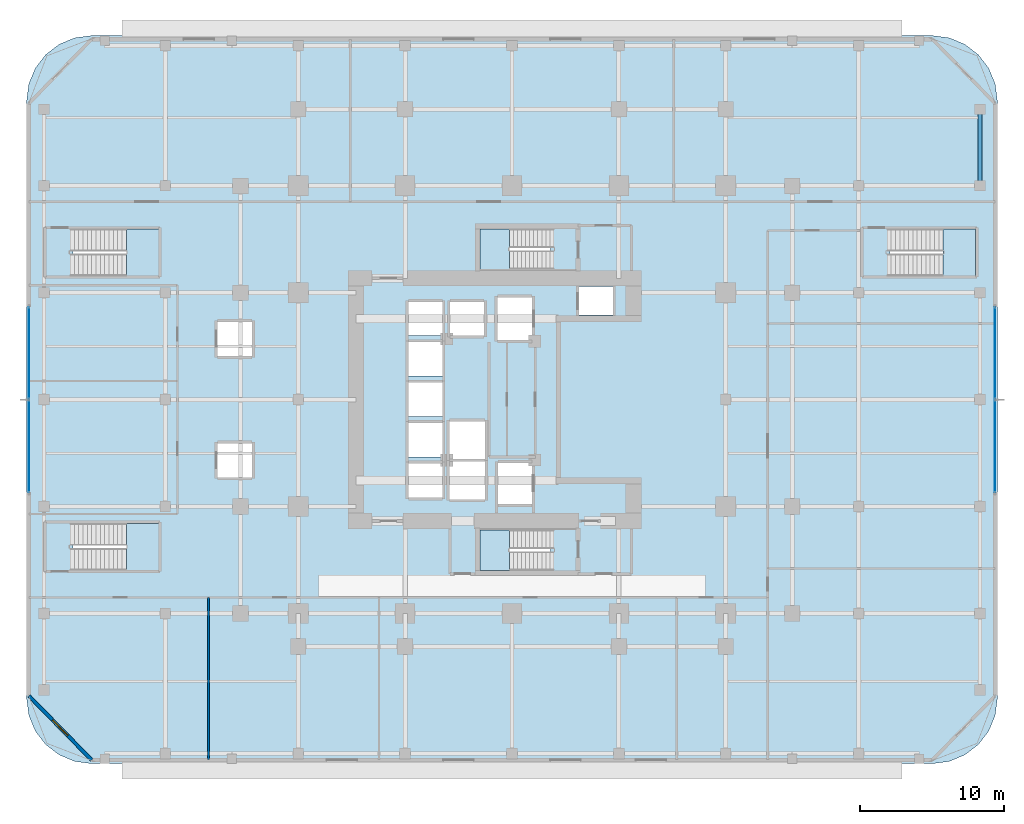
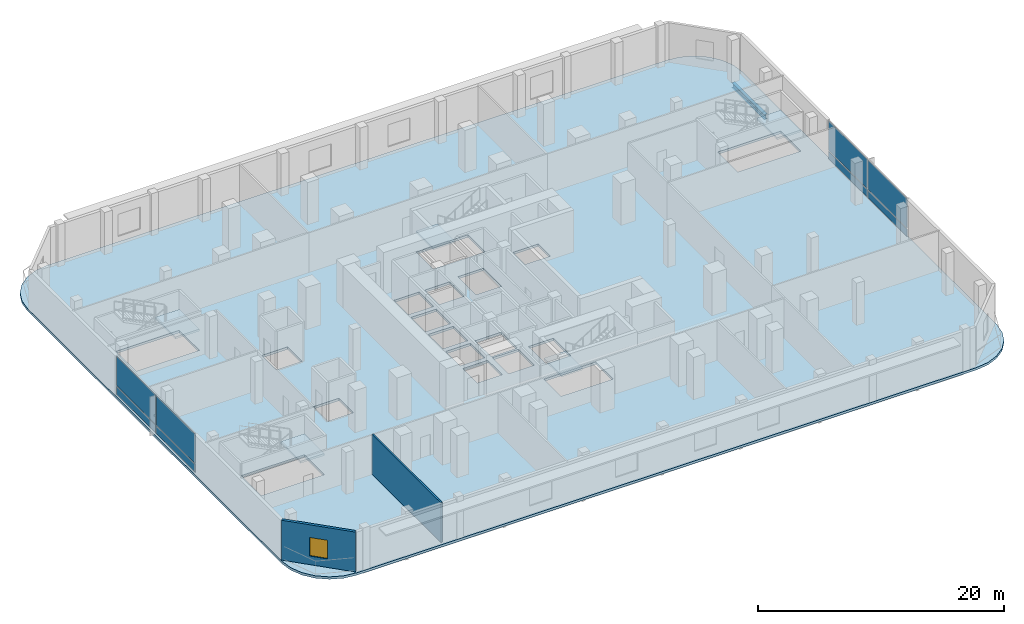
# One storey, part 7 of 19: 8 plates, 6 slabs, 2 walls, 1 beam, 1 window, 1 opening, 7 elements without a shape of their own.
"""IFC4 building model written with IfcOpenShell, lengths in metres."""

from ifc_helpers import new_model, si_unit, direction, frame, frame_2d, origin, origin_2d, place, context, subcontext, project, spatial, polyline, rectangle, i_section, outline, extrude, material, layer, layer_set, material_profile, profile_set, type_object, element, fill, aggregate, save


model = new_model("IFC4")

# Units and contexts
model_context = context("Model", 3, precision=1e-05, world=origin(), true_north=direction((0.0, 1.0)))
body_context = subcontext(model_context, "Body", "Model", "MODEL_VIEW")
ifc_project = project(units=[si_unit("LENGTHUNIT", "METRE"), si_unit("AREAUNIT", "SQUARE_METRE"), si_unit("VOLUMEUNIT", "CUBIC_METRE"), si_unit("PLANEANGLEUNIT", "RADIAN"), si_unit("MASSUNIT", "GRAM", prefix="KILO")], contexts=[model_context])

# Site, building, storey
site_placement = place(None, origin())
site = spatial("IfcSite", under=ifc_project, at=site_placement, CompositionType="ELEMENT")
building_placement = place(site_placement, origin())
building = spatial("IfcBuilding", under=site, at=building_placement, Name="Khorvyn Point Tower", CompositionType="ELEMENT")
storey_placement = place(building_placement, frame((0.0, 0.0, 17.39990234375)))
storey = spatial("IfcBuildingStorey", under=building, at=storey_placement, Name="L05", CompositionType="ELEMENT", Elevation=17.39990234375)

# Beam
ifc_material_1 = material(Name="Steel S355", Category="steel")
ifc_material_profile = material_profile(ifc_material_1, i_section(OverallWidth=0.300048828125, OverallDepth=0.488037109375, WebThickness=0.010986328125, FlangeThickness=0.01806640625, at=origin_2d()))
ifc_profile_set = profile_set([ifc_material_profile], Name="Steel S355 H488x300x11x18")
beam_type = type_object("IfcBeamType", Name="Steel S355 Spandrel H488x300x11x18", PredefinedType="SPANDREL", material=ifc_profile_set)
beam_placement = place(storey_placement, frame((32.39990234375, 14.800048828125, -0.48388671875), z_axis=(0.0, 1.0, 0.0), x_axis=(-1.0, 0.0, 0.0)))
element("IfcBeam", 1, at=beam_placement, inside=storey, type_object=beam_type, Name="Beam", PredefinedType="SPANDREL", context=body_context, shape_type="SweptSolid", body=[
    extrude(i_section(OverallWidth=0.300048828125, OverallDepth=0.488037109375, WebThickness=0.010986328125, FlangeThickness=0.01806640625, at=origin_2d()), origin(), (0.0, 0.0, 1.0), 5.300048828125),
])

# Slab
ifc_material_2 = material(Name="Concrete C35/45", Category="concrete")
ifc_layer_1 = layer(ifc_material_2, 0.239990234375)
ifc_layer_set_1 = layer_set([ifc_layer_1], Name="Concrete C35/45 Structural Floor Slab 240")
slab_type_1 = type_object("IfcSlabType", Name="Concrete C35/45 Structural Floor Slab 240", PredefinedType="FLOOR", material=ifc_layer_set_1)
slab_1_placement = place(storey_placement, frame((0.0, 0.0, -0.239990234375)))
element("IfcSlab", 2, at=slab_1_placement, inside=storey, type_object=slab_type_1, Name="L05 Main Structural Floor Slab", PredefinedType="FLOOR", context=body_context, shape_type="SweptSolid", body=[
    extrude(outline(polyline([(-29.10009765625, -25.199951171875), (-30.2646484375, -25.046630859375), (-31.35009765625, -24.59716796875), (-32.281982421875, -23.882080078125), (-32.9970703125, -22.949951171875), (-33.44677734375, -21.86474609375), (-33.60009765625, -20.699951171875), (-33.60009765625, 20.699951171875), (-33.44677734375, 21.86474609375), (-32.9970703125, 22.949951171875), (-32.281982421875, 23.882080078125), (-31.35009765625, 24.59716796875), (-30.2646484375, 25.046630859375), (-29.10009765625, 25.199951171875), (29.10009765625, 25.199951171875), (30.2646484375, 25.046630859375), (31.35009765625, 24.59716796875), (32.281982421875, 23.882080078125), (32.9970703125, 22.949951171875), (33.44677734375, 21.86474609375), (33.60009765625, 20.699951171875), (33.60009765625, -20.699951171875), (33.44677734375, -21.86474609375), (32.9970703125, -22.949951171875), (32.281982421875, -23.882080078125), (31.35009765625, -24.59716796875), (30.2646484375, -25.046630859375), (29.10009765625, -25.199951171875), (-29.10009765625, -25.199951171875)]), holes=[polyline([(-30.3798828125, -11.820068359375), (-24.449951171875, -11.820068359375), (-24.449951171875, -8.56005859375), (-30.3798828125, -8.56005859375), (-30.3798828125, -11.820068359375)]), polyline([(-7.175048828125, -6.77490234375), (-4.824951171875, -6.77490234375), (-4.824951171875, -4.425048828125), (-7.175048828125, -4.425048828125), (-7.175048828125, -6.77490234375)]), polyline([(-20.39990234375, -5.375), (-18.0, -5.375), (-18.0, -3.02490234375), (-20.39990234375, -3.02490234375), (-20.39990234375, -5.375)]), polyline([(-7.175048828125, -3.97509765625), (-4.824951171875, -3.97509765625), (-4.824951171875, -1.625), (-7.175048828125, -1.625), (-7.175048828125, -3.97509765625)]), polyline([(-7.175048828125, -1.175048828125), (-4.824951171875, -1.175048828125), (-4.824951171875, 1.175048828125), (-7.175048828125, 1.175048828125), (-7.175048828125, -1.175048828125)]), polyline([(-7.175048828125, 1.625), (-4.824951171875, 1.625), (-4.824951171875, 3.97509765625), (-7.175048828125, 3.97509765625), (-7.175048828125, 1.625)]), polyline([(-20.39990234375, 3.02490234375), (-18.0, 3.02490234375), (-18.0, 5.375), (-20.39990234375, 5.375), (-20.39990234375, 3.02490234375)]), polyline([(-7.175048828125, 6.77490234375), (-7.175048828125, 4.425048828125), (-4.824951171875, 4.425048828125), (-4.824951171875, 6.77490234375), (-7.175048828125, 6.77490234375)]), polyline([(-30.3798828125, 11.820068359375), (-30.3798828125, 8.56005859375), (-24.449951171875, 8.56005859375), (-24.449951171875, 11.820068359375), (-30.3798828125, 11.820068359375)]), polyline([(-2.199951171875, -11.820068359375), (2.679931640625, -11.820068359375), (2.679931640625, -9.02001953125), (-2.199951171875, -9.02001953125), (-2.199951171875, -11.820068359375)]), polyline([(-0.97509765625, -7.22509765625), (1.375, -7.22509765625), (1.375, -4.375), (-0.97509765625, -4.375), (-0.97509765625, -7.22509765625)]), polyline([(-4.324951171875, -6.89990234375), (-1.875, -6.89990234375), (-1.875, -4.300048828125), (-4.324951171875, -4.300048828125), (-4.324951171875, -6.89990234375)]), polyline([(-4.324951171875, -4.10009765625), (-1.875, -4.10009765625), (-1.875, -1.5), (-4.324951171875, -1.5), (-4.324951171875, -4.10009765625)]), polyline([(-4.27490234375, 4.425048828125), (-1.925048828125, 4.425048828125), (-1.925048828125, 6.77490234375), (-4.27490234375, 6.77490234375), (-4.27490234375, 4.425048828125)]), polyline([(-1.0, 4.125), (1.39990234375, 4.125), (1.39990234375, 7.074951171875), (-1.0, 7.074951171875), (-1.0, 4.125)]), polyline([(4.625, 5.85009765625), (6.97509765625, 5.85009765625), (6.97509765625, 7.830078125), (4.625, 7.830078125), (4.625, 5.85009765625)]), polyline([(26.169921875, 11.820068359375), (26.169921875, 8.56005859375), (32.10009765625, 8.56005859375), (32.10009765625, 11.820068359375), (26.169921875, 11.820068359375)]), polyline([(-2.199951171875, 11.820068359375), (-2.199951171875, 9.02001953125), (2.679931640625, 9.02001953125), (2.679931640625, 11.820068359375), (-2.199951171875, 11.820068359375)])]), origin(), (0.0, 0.0, 1.0), 0.239990234375),
])

# Stair, slab
ifc_material_3 = material(Name="Concrete C40/50", Category="concrete")
stair_type_1 = type_object("IfcStairType", Name="Tower Concrete C40/50 Dogleg Exit Stair", PredefinedType="HALF_TURN_STAIR", material=ifc_material_3)
stair_1_placement = place(storey_placement, origin())
stair_1 = element("IfcStair", 3, at=stair_1_placement, inside=storey, type_object=stair_type_1, Name="L05 Tower Smokeproof Exit Stair South", PredefinedType="HALF_TURN_STAIR")
ifc_layer_2 = layer(ifc_material_3, 0.199951171875)
ifc_layer_set_2 = layer_set([ifc_layer_2], Name="Concrete C40/50 Stair Landing Slab 200")
slab_type_2 = type_object("IfcSlabType", Name="Concrete C40/50 Stair Landing Slab 200", PredefinedType="LANDING", material=ifc_layer_set_2)
slab_2_placement = place(storey_placement, frame((0.0, 0.0, 1.900146484375)))
slab_2 = element("IfcSlab", 4, at=slab_2_placement, type_object=slab_type_2, Name="ST-01 landing 1", PredefinedType="LANDING", context=body_context, shape_type="SweptSolid", body=[
    extrude(outline(polyline([(-0.179931640625, -9.02001953125), (-2.199951171875, -9.02001953125), (-2.199951171875, -11.820068359375), (-0.179931640625, -11.820068359375), (-0.179931640625, -9.02001953125)])), origin(), (0.0, 0.0, 1.0), 0.199951171875),
])
aggregate(stair_1, [slab_2])

stair_2_placement = place(storey_placement, origin())
stair_2 = element("IfcStair", 5, at=stair_2_placement, inside=storey, type_object=stair_type_1, Name="L05 Tower Smokeproof Exit Stair North", PredefinedType="HALF_TURN_STAIR")
slab_3_placement = place(storey_placement, frame((0.0, 0.0, 1.900146484375)))
slab_3 = element("IfcSlab", 6, at=slab_3_placement, type_object=slab_type_2, Name="ST-02 landing 1", PredefinedType="LANDING", context=body_context, shape_type="SweptSolid", body=[
    extrude(outline(polyline([(-0.179931640625, 11.820068359375), (-2.199951171875, 11.820068359375), (-2.199951171875, 9.02001953125), (-0.179931640625, 9.02001953125), (-0.179931640625, 11.820068359375)])), origin(), (0.0, 0.0, 1.0), 0.199951171875),
])
aggregate(stair_2, [slab_3])

stair_type_2 = type_object("IfcStairType", Name="School Podium Concrete C40/50 Wide Exit Stair", PredefinedType="HALF_TURN_STAIR", material=ifc_material_3)
stair_3_placement = place(storey_placement, origin())
stair_3 = element("IfcStair", 7, at=stair_3_placement, inside=storey, type_object=stair_type_2, Name="L05 School Podium Smokeproof Stair Southwest", PredefinedType="HALF_TURN_STAIR")
slab_4_placement = place(storey_placement, frame((0.0, 0.0, 1.900146484375)))
slab_4 = element("IfcSlab", 8, at=slab_4_placement, type_object=slab_type_2, Name="ST-S1 landing 1", PredefinedType="LANDING", context=body_context, shape_type="SweptSolid", body=[
    extrude(outline(polyline([(-26.699951171875, -11.820068359375), (-24.449951171875, -11.820068359375), (-24.449951171875, -8.56005859375), (-26.699951171875, -8.56005859375), (-26.699951171875, -11.820068359375)])), origin(), (0.0, 0.0, 1.0), 0.199951171875),
])
aggregate(stair_3, [slab_4])

stair_4_placement = place(storey_placement, origin())
stair_4 = element("IfcStair", 9, at=stair_4_placement, inside=storey, type_object=stair_type_2, Name="L05 School Podium Smokeproof Stair Northwest", PredefinedType="HALF_TURN_STAIR")
slab_5_placement = place(storey_placement, frame((0.0, 0.0, 1.900146484375)))
slab_5 = element("IfcSlab", 10, at=slab_5_placement, type_object=slab_type_2, Name="ST-S2 landing 1", PredefinedType="LANDING", context=body_context, shape_type="SweptSolid", body=[
    extrude(outline(polyline([(-26.699951171875, 8.56005859375), (-24.449951171875, 8.56005859375), (-24.449951171875, 11.820068359375), (-26.699951171875, 11.820068359375), (-26.699951171875, 8.56005859375)])), origin(), (0.0, 0.0, 1.0), 0.199951171875),
])
aggregate(stair_4, [slab_5])

stair_5_placement = place(storey_placement, origin())
stair_5 = element("IfcStair", 11, at=stair_5_placement, inside=storey, type_object=stair_type_2, Name="L05 School Podium Smokeproof Stair Northeast", PredefinedType="HALF_TURN_STAIR")
slab_6_placement = place(storey_placement, frame((0.0, 0.0, 1.900146484375)))
slab_6 = element("IfcSlab", 12, at=slab_6_placement, type_object=slab_type_2, Name="ST-S3 landing 1", PredefinedType="LANDING", context=body_context, shape_type="SweptSolid", body=[
    extrude(outline(polyline([(29.85009765625, 8.56005859375), (32.10009765625, 8.56005859375), (32.10009765625, 11.820068359375), (29.85009765625, 11.820068359375), (29.85009765625, 8.56005859375)])), origin(), (0.0, 0.0, 1.0), 0.199951171875),
])
aggregate(stair_5, [slab_6])

# Curtain wall, plates
ifc_material_4 = material(Name="Anodised aluminium 6063-T6 and laminated Low-E glass", Category="aluminium")
ifc_layer_3 = layer(ifc_material_4, 0.18994140625)
ifc_layer_set_3 = layer_set([ifc_layer_3], Name="Stick-Built Low-E Podium Curtain Wall CW-SYS-01")
curtain_wall_type = type_object("IfcCurtainWallType", Name="Stick-Built Low-E Podium Curtain Wall CW-SYS-01", PredefinedType="NOTDEFINED", material=ifc_layer_set_3)
curtain_wall_1_placement = place(storey_placement, origin())
curtain_wall_1 = element("IfcCurtainWall", 13, at=curtain_wall_1_placement, inside=storey, type_object=curtain_wall_type, Name="Curtain Wall", PredefinedType="NOTDEFINED")
ifc_material_5 = material(Name="Pale anodised aluminium 5005", Category="aluminium")
ifc_layer_4 = layer(ifc_material_5, 0.0400390625)
ifc_layer_set_4 = layer_set([ifc_layer_4], Name="Pale Champagne Aluminium Insulated Spandrel Panel CW-SP40")
plate_type_1 = type_object("IfcPlateType", Name="Pale Champagne Aluminium Insulated Spandrel Panel CW-SP40", PredefinedType="SHEET", material=ifc_layer_set_4)
plate_1_placement = place(storey_placement, frame((-33.449951171875, -3.22509765625, 0.10009765625), z_axis=(0.0, 0.0, 1.0), x_axis=(0.0, 1.0, 0.0)))
plate_1 = element("IfcPlate", 14, at=plate_1_placement, type_object=plate_type_1, Name="Panel", PredefinedType="SHEET", context=body_context, shape_type="SweptSolid", body=[
    extrude(rectangle(XDim=6.35009765625, YDim=0.0400390625, at=origin_2d()), origin(), (0.0, 0.0, 1.0), 0.75),
])
plate_2_placement = place(storey_placement, frame((-33.449951171875, 3.22509765625, 0.10009765625), z_axis=(0.0, 0.0, 1.0), x_axis=(0.0, 1.0, 0.0)))
plate_2 = element("IfcPlate", 15, at=plate_2_placement, type_object=plate_type_1, Name="Panel", PredefinedType="SHEET", context=body_context, shape_type="SweptSolid", body=[
    extrude(rectangle(XDim=6.35009765625, YDim=0.0400390625, at=origin_2d()), origin(), (0.0, 0.0, 1.0), 0.75),
])

curtain_wall_2_placement = place(storey_placement, origin())
curtain_wall_2 = element("IfcCurtainWall", 16, at=curtain_wall_2_placement, inside=storey, type_object=curtain_wall_type, Name="Curtain Wall", PredefinedType="NOTDEFINED")
plate_3_placement = place(storey_placement, frame((33.449951171875, -3.22509765625, 0.10009765625), z_axis=(0.0, 0.0, 1.0), x_axis=(0.0, 1.0, 0.0)))
plate_3 = element("IfcPlate", 17, at=plate_3_placement, type_object=plate_type_1, Name="Panel", PredefinedType="SHEET", context=body_context, shape_type="SweptSolid", body=[
    extrude(rectangle(XDim=6.35009765625, YDim=0.0400390625, at=origin_2d()), origin(), (0.0, 0.0, 1.0), 0.75),
])
plate_4_placement = place(storey_placement, frame((33.449951171875, 3.22509765625, 0.10009765625), z_axis=(0.0, 0.0, 1.0), x_axis=(0.0, 1.0, 0.0)))
plate_4 = element("IfcPlate", 18, at=plate_4_placement, type_object=plate_type_1, Name="Panel", PredefinedType="SHEET", context=body_context, shape_type="SweptSolid", body=[
    extrude(rectangle(XDim=6.35009765625, YDim=0.0400390625, at=origin_2d()), origin(), (0.0, 0.0, 1.0), 0.75),
])

# Plate
ifc_material_6 = material(Name="Laminated Low-E insulated glass", Category="glass")
ifc_layer_5 = layer(ifc_material_6, 0.028076171875)
ifc_layer_set_5 = layer_set([ifc_layer_5], Name="Tempered Low-E Vision Glazing Panel CW-GL28")
plate_type_2 = type_object("IfcPlateType", Name="Tempered Low-E Vision Glazing Panel CW-GL28", PredefinedType="CURTAIN_PANEL", material=ifc_layer_set_5)
plate_5_placement = place(storey_placement, frame((-33.449951171875, -3.22509765625, 0.9501953125), z_axis=(0.0, 0.0, 1.0), x_axis=(0.0, 1.0, 0.0)))
plate_5 = element("IfcPlate", 19, at=plate_5_placement, type_object=plate_type_2, Name="Panel", PredefinedType="CURTAIN_PANEL", context=body_context, shape_type="SweptSolid", body=[
    extrude(rectangle(XDim=6.35009765625, YDim=0.028076171875, at=origin_2d()), origin(), (0.0, 0.0, 1.0), 2.909912109375),
])

plate_6_placement = place(storey_placement, frame((-33.449951171875, 3.22509765625, 0.9501953125), z_axis=(0.0, 0.0, 1.0), x_axis=(0.0, 1.0, 0.0)))
plate_6 = element("IfcPlate", 20, at=plate_6_placement, type_object=plate_type_2, Name="Panel", PredefinedType="CURTAIN_PANEL", context=body_context, shape_type="SweptSolid", body=[
    extrude(rectangle(XDim=6.35009765625, YDim=0.028076171875, at=origin_2d()), origin(), (0.0, 0.0, 1.0), 2.909912109375),
])

aggregate(curtain_wall_1, [plate_1, plate_5, plate_2, plate_6])

plate_7_placement = place(storey_placement, frame((33.449951171875, -3.22509765625, 0.9501953125), z_axis=(0.0, 0.0, 1.0), x_axis=(0.0, 1.0, 0.0)))
plate_7 = element("IfcPlate", 21, at=plate_7_placement, type_object=plate_type_2, Name="Panel", PredefinedType="CURTAIN_PANEL", context=body_context, shape_type="SweptSolid", body=[
    extrude(rectangle(XDim=6.35009765625, YDim=0.028076171875, at=origin_2d()), origin(), (0.0, 0.0, 1.0), 2.909912109375),
])

plate_8_placement = place(storey_placement, frame((33.449951171875, 3.22509765625, 0.9501953125), z_axis=(0.0, 0.0, 1.0), x_axis=(0.0, 1.0, 0.0)))
plate_8 = element("IfcPlate", 22, at=plate_8_placement, type_object=plate_type_2, Name="Panel", PredefinedType="CURTAIN_PANEL", context=body_context, shape_type="SweptSolid", body=[
    extrude(rectangle(XDim=6.35009765625, YDim=0.028076171875, at=origin_2d()), origin(), (0.0, 0.0, 1.0), 2.909912109375),
])

aggregate(curtain_wall_2, [plate_3, plate_7, plate_4, plate_8])

# Wall, opening, window
ifc_material_7 = material(Name="Pale anodised aluminium rainscreen on steel stud", Category="steel")
ifc_layer_6 = layer(ifc_material_7, 0.239990234375)
ifc_layer_set_6 = layer_set([ifc_layer_6], Name="Anodised Aluminium Insulated Corner Spandrel Wall 240")
wall_type_1 = type_object("IfcWallType", Name="Anodised Aluminium Insulated Corner Spandrel Wall 240", PredefinedType="SOLIDWALL", material=ifc_layer_set_6)
wall_1_placement = place(storey_placement, frame((-29.10009765625, -24.949951171875, 0.0), z_axis=(0.0, 0.0, 1.0), x_axis=(-0.69901822973, 0.715103848756, 0.0)))
wall_1 = element("IfcWall", 23, at=wall_1_placement, inside=storey, type_object=wall_type_1, Name="L05 Rounded Corner Wall SW", PredefinedType="SOLIDWALL", context=body_context, shape_type="SweptSolid", body=[
    extrude(rectangle(XDim=6.222900390625, YDim=0.239990234375, at=frame_2d((3.111328125, 0.0))), origin(), (0.0, 0.0, 1.0), 3.960205078125),
])
opening_placement = place(wall_1_placement, frame((2.361572265625, 0.0, 0.85009765625)))
opening = element("IfcOpeningElement", 24, at=opening_placement, cuts=wall_1, Name="Opening WN-1518", PredefinedType="OPENING", context=body_context, shape_type="SweptSolid", body=[
    extrude(rectangle(XDim=1.5, YDim=1.85009765625, at=frame_2d((0.75, 0.925048828125))), frame((0.0, 0.1298828125, 0.0), z_axis=(0.0, -1.0, 0.0), x_axis=(1.0, 0.0, 0.0)), (0.0, 0.0, 1.0), 0.260009765625),
])
window_type = type_object("IfcWindowType", Name="Anodised Aluminium Rounded-Corner Panoramic Window 1500x1850", PartitioningType="SINGLE_PANEL", PredefinedType="WINDOW", material=ifc_material_4)
window_placement = place(opening_placement, origin())
window = element("IfcWindow", 25, at=window_placement, inside=storey, type_object=window_type, Name="L05 Corner Window SW", OverallHeight=1.85009765625, OverallWidth=1.5, PartitioningType="SINGLE_PANEL", PredefinedType="WINDOW", context=body_context, shape_type="SweptSolid", body=[
    extrude(rectangle(XDim=1.5, YDim=1.85009765625, at=frame_2d((0.75, 0.925048828125))), frame((0.0, 0.030029296875, 0.0), z_axis=(0.0, -1.0, 0.0), x_axis=(1.0, 0.0, 0.0)), (0.0, 0.0, 1.0), 0.06005859375),
])
fill(opening, window)

# Wall
ifc_material_8 = material(Name="Moisture-resistant gypsum and cement board", Category="gypsum")
ifc_layer_7 = layer(ifc_material_8, 0.14990234375)
ifc_layer_set_7 = layer_set([ifc_layer_7], Name="Moisture-Resistant Wet-Room Partition Wall 150")
wall_type_2 = type_object("IfcWallType", Name="Moisture-Resistant Wet-Room Partition Wall 150", PredefinedType="PARTITIONING", material=ifc_layer_set_7)
wall_2_placement = place(storey_placement, frame((-21.0, -24.919921875, 0.0), z_axis=(0.0, 0.0, 1.0), x_axis=(0.0, 1.0, 0.0)))
element("IfcWall", 26, at=wall_2_placement, inside=storey, type_object=wall_type_2, Name="Wall", PredefinedType="PARTITIONING", context=body_context, shape_type="SweptSolid", body=[
    extrude(rectangle(XDim=11.219970703125, YDim=0.14990234375, at=frame_2d((5.60986328125, 0.0))), origin(), (0.0, 0.0, 1.0), 3.960205078125),
])

save(model, "model.ifc")
